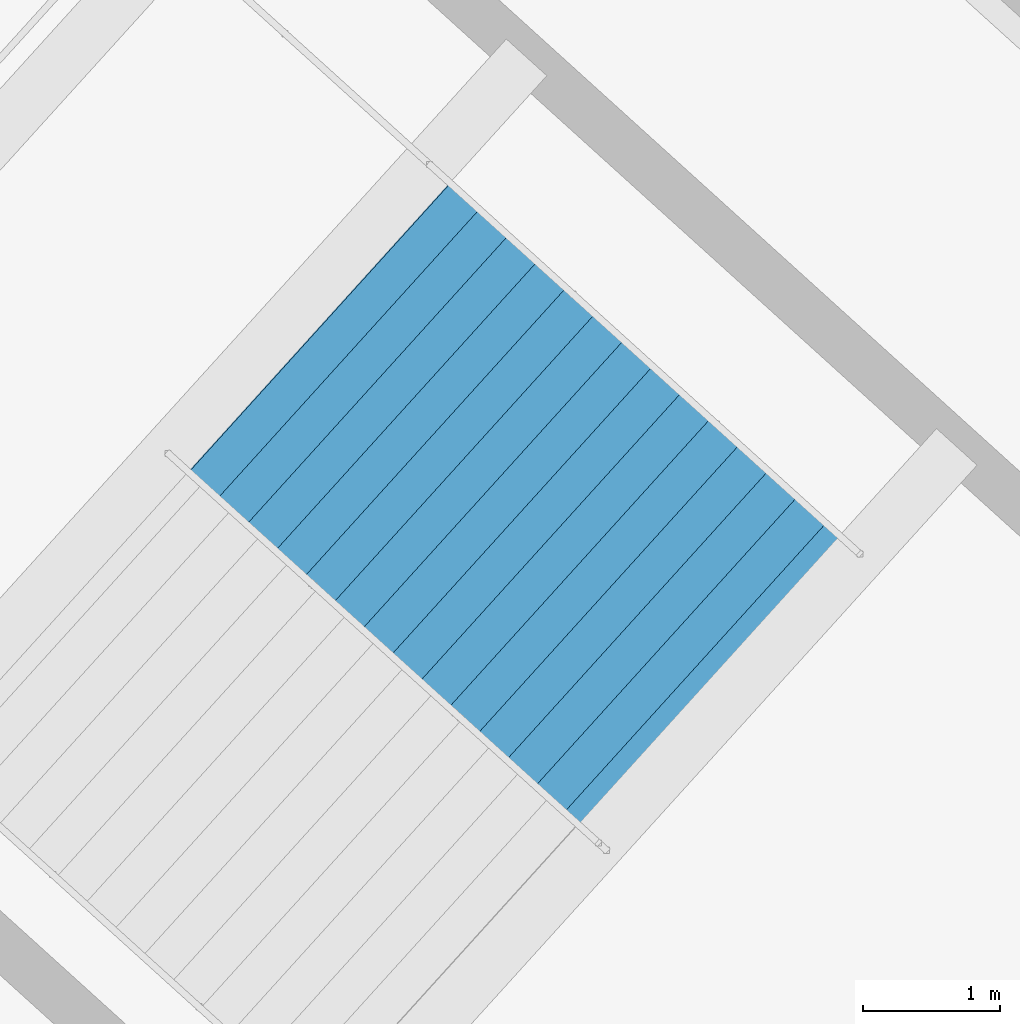
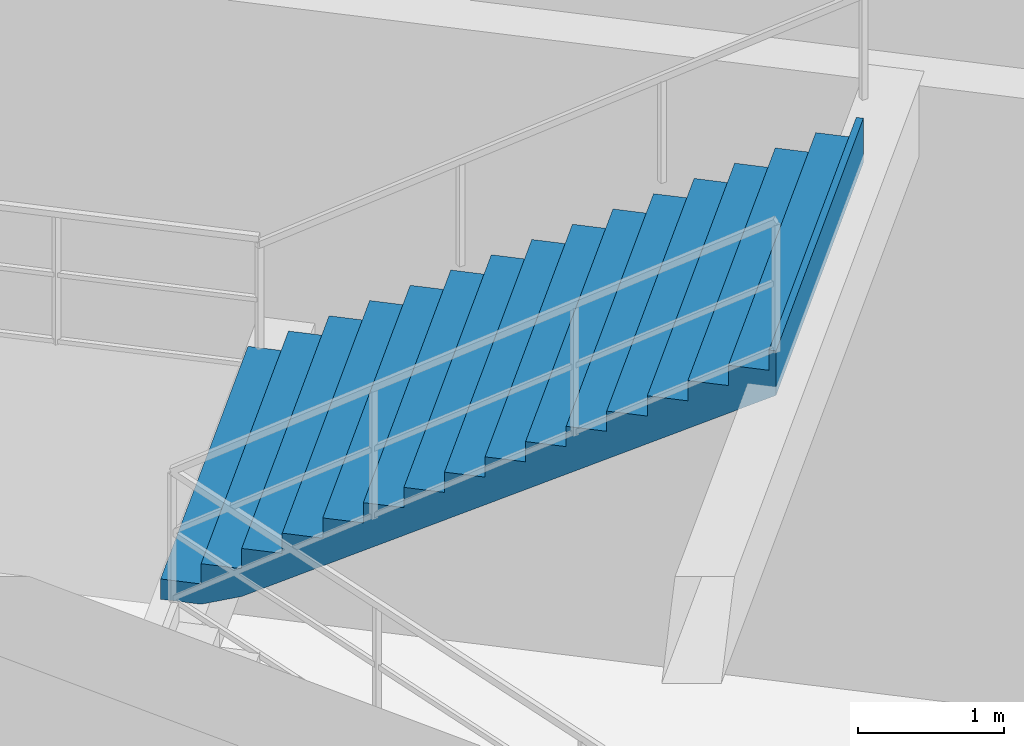
# One storey, part 40 of 49: 1 stair flight, 1 element without a shape of its own.
"""IFC4 building model written with IfcOpenShell, lengths in metres."""

from ifc_helpers import new_model, si_unit, direction, frame, origin, place, context, subcontext, project, spatial, polygons, material, type_object, element, aggregate, save


model = new_model("IFC4")

# Units and contexts
model_context = context("Model", 3, precision=1e-05, world=origin(), true_north=direction((0.0, 1.0)))
body_context = subcontext(model_context, "Body", "Model", "MODEL_VIEW")
ifc_project = project(units=[si_unit("LENGTHUNIT", "METRE"), si_unit("AREAUNIT", "SQUARE_METRE"), si_unit("VOLUMEUNIT", "CUBIC_METRE"), si_unit("PLANEANGLEUNIT", "RADIAN"), si_unit("MASSUNIT", "GRAM", prefix="KILO")], contexts=[model_context])

# Site, building, storey
site_placement = place(None, origin())
site = spatial("IfcSite", under=ifc_project, at=site_placement, CompositionType="ELEMENT")
building_placement = place(site_placement, origin())
building = spatial("IfcBuilding", under=site, at=building_placement, Name="Kazemori Nagisa Stadium", CompositionType="ELEMENT")
storey_placement = place(building_placement, frame((0.0, 0.0, -5.43994140625)))
storey = spatial("IfcBuildingStorey", under=building, at=storey_placement, Name="B1", CompositionType="ELEMENT", Elevation=-5.43994140625)

# Stair, stair flight
ifc_material = material(Name="Concrete C36/45 (Fc36)", Category="concrete")
stair_type = type_object("IfcStairType", Name="Stair_CORE_32", PredefinedType="TWO_STRAIGHT_RUN_STAIR", material=ifc_material)
stair_placement = place(storey_placement, origin())
stair = element("IfcStair", 1, at=stair_placement, inside=storey, type_object=stair_type, Name="Exit stair ST01 B1", PredefinedType="TWO_STRAIGHT_RUN_STAIR")
stair_flight_type = type_object("IfcStairFlightType", Name="Flight_CORE_16", PredefinedType="STRAIGHT", material=ifc_material)
stair_flight_placement = place(storey_placement, frame((190.5390625, 161.406005859375, 2.719970703125), z_axis=(0.0, 0.0, 1.0), x_axis=(0.741357156534, -0.671110696127, 0.0)))
stair_flight = element("IfcStairFlight", 2, at=stair_flight_placement, type_object=stair_flight_type, Name="Exit stair ST01 B1 flight 2", NumberOfRisers=16, NumberOfTreads=15, PredefinedType="STRAIGHT", RiserHeight=0.17, TreadLength=0.285, context=body_context, shape_type="Tessellation", body=[
    polygons([(0.0, -1.425048828125, 0.0), (0.0, -1.425048828125, 0.169921875), (0.284912109375, -1.425048828125, 0.169921875), (0.284912109375, -1.425048828125, 0.340087890625), (0.570068359375, -1.425048828125, 0.340087890625), (0.570068359375, -1.425048828125, 0.510009765625), (0.85498046875, -1.425048828125, 0.510009765625), (0.85498046875, -1.425048828125, 0.679931640625), (1.139892578125, -1.425048828125, 0.679931640625), (1.139892578125, -1.425048828125, 0.85009765625), (1.425048828125, -1.425048828125, 0.85009765625), (1.425048828125, -1.425048828125, 1.02001953125), (1.7099609375, -1.425048828125, 1.02001953125), (1.7099609375, -1.425048828125, 1.18994140625), (1.9951171875, -1.425048828125, 1.18994140625), (1.9951171875, -1.425048828125, 1.360107421875), (2.280029296875, -1.425048828125, 1.360107421875), (2.280029296875, -1.425048828125, 1.530029296875), (2.56494140625, -1.425048828125, 1.530029296875), (2.56494140625, -1.425048828125, 1.699951171875), (2.85009765625, -1.425048828125, 1.699951171875), (2.85009765625, -1.425048828125, 1.8701171875), (3.135009765625, -1.425048828125, 1.8701171875), (3.135009765625, -1.425048828125, 2.0400390625), (3.419921875, -1.425048828125, 2.0400390625), (3.419921875, -1.425048828125, 2.2099609375), (3.705078125, -1.425048828125, 2.2099609375), (3.705078125, -1.425048828125, 2.3798828125), (3.989990234375, -1.425048828125, 2.3798828125), (3.989990234375, -1.425048828125, 2.550048828125), (4.27490234375, -1.425048828125, 2.550048828125), (4.27490234375, -1.425048828125, 2.719970703125), (4.324951171875, -1.425048828125, 2.719970703125), (4.324951171875, -1.425048828125, 2.346923828125), (4.27490234375, -1.425048828125, 2.317138671875), (3.989990234375, -1.425048828125, 2.147216796875), (3.705078125, -1.425048828125, 1.977294921875), (3.419921875, -1.425048828125, 1.80712890625), (3.135009765625, -1.425048828125, 1.63720703125), (2.85009765625, -1.425048828125, 1.46728515625), (2.56494140625, -1.425048828125, 1.297119140625), (2.280029296875, -1.425048828125, 1.127197265625), (1.9951171875, -1.425048828125, 0.957275390625), (1.7099609375, -1.425048828125, 0.787109375), (1.425048828125, -1.425048828125, 0.6171875), (1.139892578125, -1.425048828125, 0.447265625), (0.85498046875, -1.425048828125, 0.277099609375), (0.570068359375, -1.425048828125, 0.107177734375), (0.284912109375, -1.425048828125, 0.0), (0.0, -0.08544921875, 0.0), (0.0, -0.08544921875, 0.169921875), (0.284912109375, -0.08544921875, 0.169921875), (0.284912109375, -0.08544921875, 0.340087890625), (0.570068359375, -0.08544921875, 0.340087890625), (0.570068359375, -0.08544921875, 0.510009765625), (0.85498046875, -0.08544921875, 0.510009765625), (0.85498046875, -0.08544921875, 0.679931640625), (1.139892578125, -0.08544921875, 0.679931640625), (1.139892578125, -0.08544921875, 0.85009765625), (1.425048828125, -0.08544921875, 0.85009765625), (1.425048828125, -0.08544921875, 1.02001953125), (1.7099609375, -0.08544921875, 1.02001953125), (1.7099609375, -0.08544921875, 1.18994140625), (1.9951171875, -0.08544921875, 1.18994140625), (1.9951171875, -0.08544921875, 1.360107421875), (2.280029296875, -0.08544921875, 1.360107421875), (2.280029296875, -0.08544921875, 1.530029296875), (2.56494140625, -0.08544921875, 1.530029296875), (2.56494140625, -0.08544921875, 1.699951171875), (2.85009765625, -0.08544921875, 1.699951171875), (2.85009765625, -0.08544921875, 1.8701171875), (3.135009765625, -0.08544921875, 1.8701171875), (3.135009765625, -0.08544921875, 2.0400390625), (3.419921875, -0.08544921875, 2.0400390625), (3.419921875, -0.08544921875, 2.2099609375), (3.705078125, -0.08544921875, 2.2099609375), (3.705078125, -0.08544921875, 2.3798828125), (3.989990234375, -0.08544921875, 2.3798828125), (3.989990234375, -0.08544921875, 2.550048828125), (4.27490234375, -0.08544921875, 2.550048828125), (4.27490234375, -0.08544921875, 2.719970703125), (4.324951171875, -0.08544921875, 2.719970703125), (4.324951171875, -0.08544921875, 2.346923828125), (4.27490234375, -0.08544921875, 2.317138671875), (3.989990234375, -0.08544921875, 2.147216796875), (3.705078125, -0.08544921875, 1.977294921875), (3.419921875, -0.08544921875, 1.80712890625), (3.135009765625, -0.08544921875, 1.63720703125), (2.85009765625, -0.08544921875, 1.46728515625), (2.56494140625, -0.08544921875, 1.297119140625), (2.280029296875, -0.08544921875, 1.127197265625), (1.9951171875, -0.08544921875, 0.957275390625), (1.7099609375, -0.08544921875, 0.787109375), (1.425048828125, -0.08544921875, 0.6171875), (1.139892578125, -0.08544921875, 0.447265625), (0.85498046875, -0.08544921875, 0.277099609375), (0.570068359375, -0.08544921875, 0.107177734375), (0.284912109375, -0.08544921875, 0.0), (0.0, 0.0, 0.0), (0.0, 0.0, 0.169921875), (0.284912109375, 0.0, 0.169921875), (0.284912109375, 0.0, 0.340087890625), (0.570068359375, 0.0, 0.340087890625), (0.570068359375, 0.0, 0.510009765625), (0.85498046875, 0.0, 0.510009765625), (0.85498046875, 0.0, 0.679931640625), (1.139892578125, 0.0, 0.679931640625), (1.139892578125, 0.0, 0.85009765625), (1.425048828125, 0.0, 0.85009765625), (1.425048828125, 0.0, 1.02001953125), (1.7099609375, 0.0, 1.02001953125), (1.7099609375, 0.0, 1.18994140625), (1.9951171875, 0.0, 1.18994140625), (1.9951171875, 0.0, 1.360107421875), (2.280029296875, 0.0, 1.360107421875), (2.280029296875, 0.0, 1.530029296875), (2.56494140625, 0.0, 1.530029296875), (2.56494140625, 0.0, 1.699951171875), (2.85009765625, 0.0, 1.699951171875), (2.85009765625, 0.0, 1.8701171875), (3.135009765625, 0.0, 1.8701171875), (3.135009765625, 0.0, 2.0400390625), (3.419921875, 0.0, 2.0400390625), (3.419921875, 0.0, 2.2099609375), (3.705078125, 0.0, 2.2099609375), (3.705078125, 0.0, 2.3798828125), (3.989990234375, 0.0, 2.3798828125), (3.989990234375, 0.0, 2.550048828125), (4.27490234375, 0.0, 2.550048828125), (4.27490234375, 0.0, 2.719970703125), (4.324951171875, 0.0, 2.719970703125), (4.324951171875, 0.0, 2.346923828125), (4.27490234375, 0.0, 2.317138671875), (3.989990234375, 0.0, 2.147216796875), (3.705078125, 0.0, 1.977294921875), (3.419921875, 0.0, 1.80712890625), (3.135009765625, 0.0, 1.63720703125), (2.85009765625, 0.0, 1.46728515625), (2.56494140625, 0.0, 1.297119140625), (2.280029296875, 0.0, 1.127197265625), (1.9951171875, 0.0, 0.957275390625), (1.7099609375, 0.0, 0.787109375), (1.425048828125, 0.0, 0.6171875), (1.139892578125, 0.0, 0.447265625), (0.85498046875, 0.0, 0.277099609375), (0.570068359375, 0.0, 0.107177734375), (0.284912109375, 0.0, 0.0), (0.0, 0.08544921875, 0.0), (0.0, 0.08544921875, 0.169921875), (0.284912109375, 0.08544921875, 0.169921875), (0.284912109375, 0.08544921875, 0.340087890625), (0.570068359375, 0.08544921875, 0.340087890625), (0.570068359375, 0.08544921875, 0.510009765625), (0.85498046875, 0.08544921875, 0.510009765625), (0.85498046875, 0.08544921875, 0.679931640625), (1.139892578125, 0.08544921875, 0.679931640625), (1.139892578125, 0.08544921875, 0.85009765625), (1.425048828125, 0.08544921875, 0.85009765625), (1.425048828125, 0.08544921875, 1.02001953125), (1.7099609375, 0.08544921875, 1.02001953125), (1.7099609375, 0.08544921875, 1.18994140625), (1.9951171875, 0.08544921875, 1.18994140625), (1.9951171875, 0.08544921875, 1.360107421875), (2.280029296875, 0.08544921875, 1.360107421875), (2.280029296875, 0.08544921875, 1.530029296875), (2.56494140625, 0.08544921875, 1.530029296875), (2.56494140625, 0.08544921875, 1.699951171875), (2.85009765625, 0.08544921875, 1.699951171875), (2.85009765625, 0.08544921875, 1.8701171875), (3.135009765625, 0.08544921875, 1.8701171875), (3.135009765625, 0.08544921875, 2.0400390625), (3.419921875, 0.08544921875, 2.0400390625), (3.419921875, 0.08544921875, 2.2099609375), (3.705078125, 0.08544921875, 2.2099609375), (3.705078125, 0.08544921875, 2.3798828125), (3.989990234375, 0.08544921875, 2.3798828125), (3.989990234375, 0.08544921875, 2.550048828125), (4.27490234375, 0.08544921875, 2.550048828125), (4.27490234375, 0.08544921875, 2.719970703125), (4.324951171875, 0.08544921875, 2.719970703125), (4.324951171875, 0.08544921875, 2.346923828125), (4.27490234375, 0.08544921875, 2.317138671875), (3.989990234375, 0.08544921875, 2.147216796875), (3.705078125, 0.08544921875, 1.977294921875), (3.419921875, 0.08544921875, 1.80712890625), (3.135009765625, 0.08544921875, 1.63720703125), (2.85009765625, 0.08544921875, 1.46728515625), (2.56494140625, 0.08544921875, 1.297119140625), (2.280029296875, 0.08544921875, 1.127197265625), (1.9951171875, 0.08544921875, 0.957275390625), (1.7099609375, 0.08544921875, 0.787109375), (1.425048828125, 0.08544921875, 0.6171875), (1.139892578125, 0.08544921875, 0.447265625), (0.85498046875, 0.08544921875, 0.277099609375), (0.570068359375, 0.08544921875, 0.107177734375), (0.284912109375, 0.08544921875, 0.0), (0.0, 1.425048828125, 0.0), (0.0, 1.425048828125, 0.169921875), (0.284912109375, 1.425048828125, 0.169921875), (0.284912109375, 1.425048828125, 0.340087890625), (0.570068359375, 1.425048828125, 0.340087890625), (0.570068359375, 1.425048828125, 0.510009765625), (0.85498046875, 1.425048828125, 0.510009765625), (0.85498046875, 1.425048828125, 0.679931640625), (1.139892578125, 1.425048828125, 0.679931640625), (1.139892578125, 1.425048828125, 0.85009765625), (1.425048828125, 1.425048828125, 0.85009765625), (1.425048828125, 1.425048828125, 1.02001953125), (1.7099609375, 1.425048828125, 1.02001953125), (1.7099609375, 1.425048828125, 1.18994140625), (1.9951171875, 1.425048828125, 1.18994140625), (1.9951171875, 1.425048828125, 1.360107421875), (2.280029296875, 1.425048828125, 1.360107421875), (2.280029296875, 1.425048828125, 1.530029296875), (2.56494140625, 1.425048828125, 1.530029296875), (2.56494140625, 1.425048828125, 1.699951171875), (2.85009765625, 1.425048828125, 1.699951171875), (2.85009765625, 1.425048828125, 1.8701171875), (3.135009765625, 1.425048828125, 1.8701171875), (3.135009765625, 1.425048828125, 2.0400390625), (3.419921875, 1.425048828125, 2.0400390625), (3.419921875, 1.425048828125, 2.2099609375), (3.705078125, 1.425048828125, 2.2099609375), (3.705078125, 1.425048828125, 2.3798828125), (3.989990234375, 1.425048828125, 2.3798828125), (3.989990234375, 1.425048828125, 2.550048828125), (4.27490234375, 1.425048828125, 2.550048828125), (4.27490234375, 1.425048828125, 2.719970703125), (4.324951171875, 1.425048828125, 2.719970703125), (4.324951171875, 1.425048828125, 2.346923828125), (4.27490234375, 1.425048828125, 2.317138671875), (3.989990234375, 1.425048828125, 2.147216796875), (3.705078125, 1.425048828125, 1.977294921875), (3.419921875, 1.425048828125, 1.80712890625), (3.135009765625, 1.425048828125, 1.63720703125), (2.85009765625, 1.425048828125, 1.46728515625), (2.56494140625, 1.425048828125, 1.297119140625), (2.280029296875, 1.425048828125, 1.127197265625), (1.9951171875, 1.425048828125, 0.957275390625), (1.7099609375, 1.425048828125, 0.787109375), (1.425048828125, 1.425048828125, 0.6171875), (1.139892578125, 1.425048828125, 0.447265625), (0.85498046875, 1.425048828125, 0.277099609375), (0.570068359375, 1.425048828125, 0.107177734375), (0.284912109375, 1.425048828125, 0.0)], [[[1, 2, 51]], [[1, 51, 50]], [[2, 3, 52]], [[2, 52, 51]], [[3, 4, 53]], [[3, 53, 52]], [[4, 5, 54]], [[4, 54, 53]], [[5, 6, 55]], [[5, 55, 54]], [[6, 7, 56]], [[6, 56, 55]], [[7, 8, 57]], [[7, 57, 56]], [[8, 9, 58]], [[8, 58, 57]], [[9, 10, 59]], [[9, 59, 58]], [[10, 11, 60]], [[10, 60, 59]], [[11, 12, 61]], [[11, 61, 60]], [[12, 13, 62]], [[12, 62, 61]], [[13, 14, 63]], [[13, 63, 62]], [[14, 15, 64]], [[14, 64, 63]], [[15, 16, 65]], [[15, 65, 64]], [[16, 17, 66]], [[16, 66, 65]], [[17, 18, 67]], [[17, 67, 66]], [[18, 19, 68]], [[18, 68, 67]], [[19, 20, 69]], [[19, 69, 68]], [[20, 21, 70]], [[20, 70, 69]], [[21, 22, 71]], [[21, 71, 70]], [[22, 23, 72]], [[22, 72, 71]], [[23, 24, 73]], [[23, 73, 72]], [[24, 25, 74]], [[24, 74, 73]], [[25, 26, 75]], [[25, 75, 74]], [[26, 27, 76]], [[26, 76, 75]], [[27, 28, 77]], [[27, 77, 76]], [[28, 29, 78]], [[28, 78, 77]], [[29, 30, 79]], [[29, 79, 78]], [[30, 31, 80]], [[30, 80, 79]], [[31, 32, 81]], [[31, 81, 80]], [[32, 33, 82]], [[32, 82, 81]], [[33, 34, 83]], [[33, 83, 82]], [[34, 35, 84]], [[34, 84, 83]], [[35, 36, 85]], [[35, 85, 84]], [[36, 37, 86]], [[36, 86, 85]], [[37, 38, 87]], [[37, 87, 86]], [[38, 39, 88]], [[38, 88, 87]], [[39, 40, 89]], [[39, 89, 88]], [[40, 41, 90]], [[40, 90, 89]], [[41, 42, 91]], [[41, 91, 90]], [[42, 43, 92]], [[42, 92, 91]], [[43, 44, 93]], [[43, 93, 92]], [[44, 45, 94]], [[44, 94, 93]], [[45, 46, 95]], [[45, 95, 94]], [[46, 47, 96]], [[46, 96, 95]], [[47, 48, 97]], [[47, 97, 96]], [[48, 49, 98]], [[48, 98, 97]], [[49, 1, 50]], [[49, 50, 98]], [[50, 51, 100]], [[50, 100, 99]], [[51, 52, 101]], [[51, 101, 100]], [[52, 53, 102]], [[52, 102, 101]], [[53, 54, 103]], [[53, 103, 102]], [[54, 55, 104]], [[54, 104, 103]], [[55, 56, 105]], [[55, 105, 104]], [[56, 57, 106]], [[56, 106, 105]], [[57, 58, 107]], [[57, 107, 106]], [[58, 59, 108]], [[58, 108, 107]], [[59, 60, 109]], [[59, 109, 108]], [[60, 61, 110]], [[60, 110, 109]], [[61, 62, 111]], [[61, 111, 110]], [[62, 63, 112]], [[62, 112, 111]], [[63, 64, 113]], [[63, 113, 112]], [[64, 65, 114]], [[64, 114, 113]], [[65, 66, 115]], [[65, 115, 114]], [[66, 67, 116]], [[66, 116, 115]], [[67, 68, 117]], [[67, 117, 116]], [[68, 69, 118]], [[68, 118, 117]], [[69, 70, 119]], [[69, 119, 118]], [[70, 71, 120]], [[70, 120, 119]], [[71, 72, 121]], [[71, 121, 120]], [[72, 73, 122]], [[72, 122, 121]], [[73, 74, 123]], [[73, 123, 122]], [[74, 75, 124]], [[74, 124, 123]], [[75, 76, 125]], [[75, 125, 124]], [[76, 77, 126]], [[76, 126, 125]], [[77, 78, 127]], [[77, 127, 126]], [[78, 79, 128]], [[78, 128, 127]], [[79, 80, 129]], [[79, 129, 128]], [[80, 81, 130]], [[80, 130, 129]], [[81, 82, 131]], [[81, 131, 130]], [[82, 83, 132]], [[82, 132, 131]], [[83, 84, 133]], [[83, 133, 132]], [[84, 85, 134]], [[84, 134, 133]], [[85, 86, 135]], [[85, 135, 134]], [[86, 87, 136]], [[86, 136, 135]], [[87, 88, 137]], [[87, 137, 136]], [[88, 89, 138]], [[88, 138, 137]], [[89, 90, 139]], [[89, 139, 138]], [[90, 91, 140]], [[90, 140, 139]], [[91, 92, 141]], [[91, 141, 140]], [[92, 93, 142]], [[92, 142, 141]], [[93, 94, 143]], [[93, 143, 142]], [[94, 95, 144]], [[94, 144, 143]], [[95, 96, 145]], [[95, 145, 144]], [[96, 97, 146]], [[96, 146, 145]], [[97, 98, 147]], [[97, 147, 146]], [[98, 50, 99]], [[98, 99, 147]], [[99, 100, 149]], [[99, 149, 148]], [[100, 101, 150]], [[100, 150, 149]], [[101, 102, 151]], [[101, 151, 150]], [[102, 103, 152]], [[102, 152, 151]], [[103, 104, 153]], [[103, 153, 152]], [[104, 105, 154]], [[104, 154, 153]], [[105, 106, 155]], [[105, 155, 154]], [[106, 107, 156]], [[106, 156, 155]], [[107, 108, 157]], [[107, 157, 156]], [[108, 109, 158]], [[108, 158, 157]], [[109, 110, 159]], [[109, 159, 158]], [[110, 111, 160]], [[110, 160, 159]], [[111, 112, 161]], [[111, 161, 160]], [[112, 113, 162]], [[112, 162, 161]], [[113, 114, 163]], [[113, 163, 162]], [[114, 115, 164]], [[114, 164, 163]], [[115, 116, 165]], [[115, 165, 164]], [[116, 117, 166]], [[116, 166, 165]], [[117, 118, 167]], [[117, 167, 166]], [[118, 119, 168]], [[118, 168, 167]], [[119, 120, 169]], [[119, 169, 168]], [[120, 121, 170]], [[120, 170, 169]], [[121, 122, 171]], [[121, 171, 170]], [[122, 123, 172]], [[122, 172, 171]], [[123, 124, 173]], [[123, 173, 172]], [[124, 125, 174]], [[124, 174, 173]], [[125, 126, 175]], [[125, 175, 174]], [[126, 127, 176]], [[126, 176, 175]], [[127, 128, 177]], [[127, 177, 176]], [[128, 129, 178]], [[128, 178, 177]], [[129, 130, 179]], [[129, 179, 178]], [[130, 131, 180]], [[130, 180, 179]], [[131, 132, 181]], [[131, 181, 180]], [[132, 133, 182]], [[132, 182, 181]], [[133, 134, 183]], [[133, 183, 182]], [[134, 135, 184]], [[134, 184, 183]], [[135, 136, 185]], [[135, 185, 184]], [[136, 137, 186]], [[136, 186, 185]], [[137, 138, 187]], [[137, 187, 186]], [[138, 139, 188]], [[138, 188, 187]], [[139, 140, 189]], [[139, 189, 188]], [[140, 141, 190]], [[140, 190, 189]], [[141, 142, 191]], [[141, 191, 190]], [[142, 143, 192]], [[142, 192, 191]], [[143, 144, 193]], [[143, 193, 192]], [[144, 145, 194]], [[144, 194, 193]], [[145, 146, 195]], [[145, 195, 194]], [[146, 147, 196]], [[146, 196, 195]], [[147, 99, 148]], [[147, 148, 196]], [[148, 149, 198]], [[148, 198, 197]], [[149, 150, 199]], [[149, 199, 198]], [[150, 151, 200]], [[150, 200, 199]], [[151, 152, 201]], [[151, 201, 200]], [[152, 153, 202]], [[152, 202, 201]], [[153, 154, 203]], [[153, 203, 202]], [[154, 155, 204]], [[154, 204, 203]], [[155, 156, 205]], [[155, 205, 204]], [[156, 157, 206]], [[156, 206, 205]], [[157, 158, 207]], [[157, 207, 206]], [[158, 159, 208]], [[158, 208, 207]], [[159, 160, 209]], [[159, 209, 208]], [[160, 161, 210]], [[160, 210, 209]], [[161, 162, 211]], [[161, 211, 210]], [[162, 163, 212]], [[162, 212, 211]], [[163, 164, 213]], [[163, 213, 212]], [[164, 165, 214]], [[164, 214, 213]], [[165, 166, 215]], [[165, 215, 214]], [[166, 167, 216]], [[166, 216, 215]], [[167, 168, 217]], [[167, 217, 216]], [[168, 169, 218]], [[168, 218, 217]], [[169, 170, 219]], [[169, 219, 218]], [[170, 171, 220]], [[170, 220, 219]], [[171, 172, 221]], [[171, 221, 220]], [[172, 173, 222]], [[172, 222, 221]], [[173, 174, 223]], [[173, 223, 222]], [[174, 175, 224]], [[174, 224, 223]], [[175, 176, 225]], [[175, 225, 224]], [[176, 177, 226]], [[176, 226, 225]], [[177, 178, 227]], [[177, 227, 226]], [[178, 179, 228]], [[178, 228, 227]], [[179, 180, 229]], [[179, 229, 228]], [[180, 181, 230]], [[180, 230, 229]], [[181, 182, 231]], [[181, 231, 230]], [[182, 183, 232]], [[182, 232, 231]], [[183, 184, 233]], [[183, 233, 232]], [[184, 185, 234]], [[184, 234, 233]], [[185, 186, 235]], [[185, 235, 234]], [[186, 187, 236]], [[186, 236, 235]], [[187, 188, 237]], [[187, 237, 236]], [[188, 189, 238]], [[188, 238, 237]], [[189, 190, 239]], [[189, 239, 238]], [[190, 191, 240]], [[190, 240, 239]], [[191, 192, 241]], [[191, 241, 240]], [[192, 193, 242]], [[192, 242, 241]], [[193, 194, 243]], [[193, 243, 242]], [[194, 195, 244]], [[194, 244, 243]], [[195, 196, 245]], [[195, 245, 244]], [[196, 148, 197]], [[196, 197, 245]], [[3, 2, 1]], [[197, 198, 199]], [[49, 3, 1]], [[197, 199, 245]], [[48, 3, 49]], [[245, 199, 244]], [[5, 3, 48]], [[244, 199, 201]], [[5, 4, 3]], [[199, 200, 201]], [[47, 5, 48]], [[244, 201, 243]], [[7, 5, 47]], [[243, 201, 203]], [[7, 6, 5]], [[201, 202, 203]], [[46, 7, 47]], [[243, 203, 242]], [[9, 7, 46]], [[242, 203, 205]], [[9, 8, 7]], [[203, 204, 205]], [[45, 9, 46]], [[242, 205, 241]], [[11, 9, 45]], [[241, 205, 207]], [[11, 10, 9]], [[205, 206, 207]], [[44, 11, 45]], [[241, 207, 240]], [[13, 11, 44]], [[240, 207, 209]], [[13, 12, 11]], [[207, 208, 209]], [[43, 13, 44]], [[240, 209, 239]], [[15, 13, 43]], [[239, 209, 211]], [[15, 14, 13]], [[209, 210, 211]], [[42, 15, 43]], [[239, 211, 238]], [[17, 15, 42]], [[238, 211, 213]], [[17, 16, 15]], [[211, 212, 213]], [[41, 17, 42]], [[238, 213, 237]], [[19, 17, 41]], [[237, 213, 215]], [[19, 18, 17]], [[213, 214, 215]], [[40, 19, 41]], [[237, 215, 236]], [[21, 19, 40]], [[236, 215, 217]], [[21, 20, 19]], [[215, 216, 217]], [[39, 21, 40]], [[236, 217, 235]], [[23, 21, 39]], [[235, 217, 219]], [[23, 22, 21]], [[217, 218, 219]], [[38, 23, 39]], [[235, 219, 234]], [[25, 23, 38]], [[234, 219, 221]], [[25, 24, 23]], [[219, 220, 221]], [[37, 25, 38]], [[234, 221, 233]], [[27, 25, 37]], [[233, 221, 223]], [[27, 26, 25]], [[221, 222, 223]], [[36, 27, 37]], [[233, 223, 232]], [[29, 27, 36]], [[232, 223, 225]], [[29, 28, 27]], [[223, 224, 225]], [[35, 29, 36]], [[232, 225, 231]], [[31, 29, 35]], [[231, 225, 227]], [[31, 30, 29]], [[225, 226, 227]], [[34, 31, 35]], [[231, 227, 230]], [[33, 31, 34]], [[230, 227, 229]], [[33, 32, 31]], [[227, 228, 229]]], closed=True),
])
aggregate(stair, [stair_flight])

save(model, "model.ifc")
